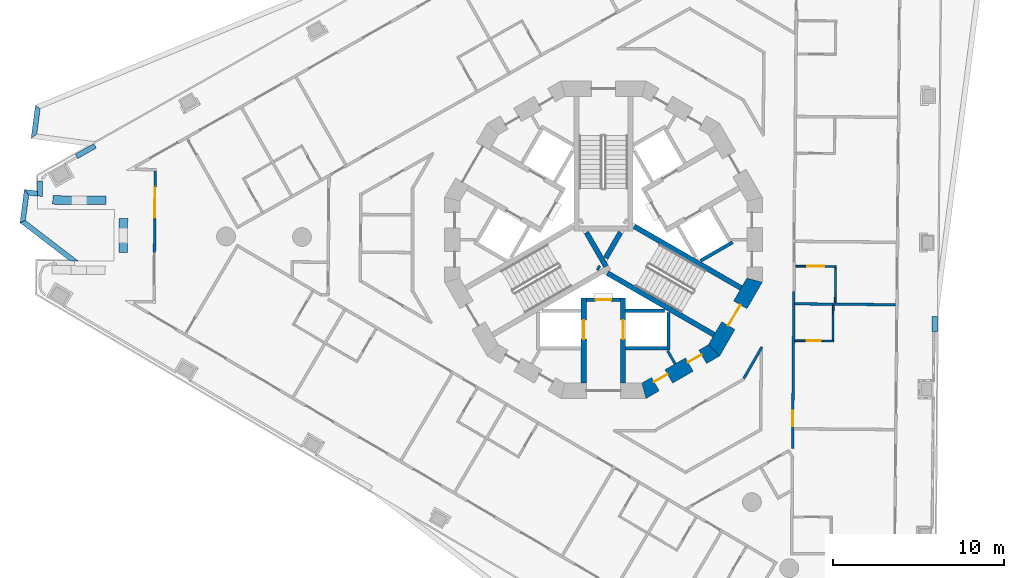
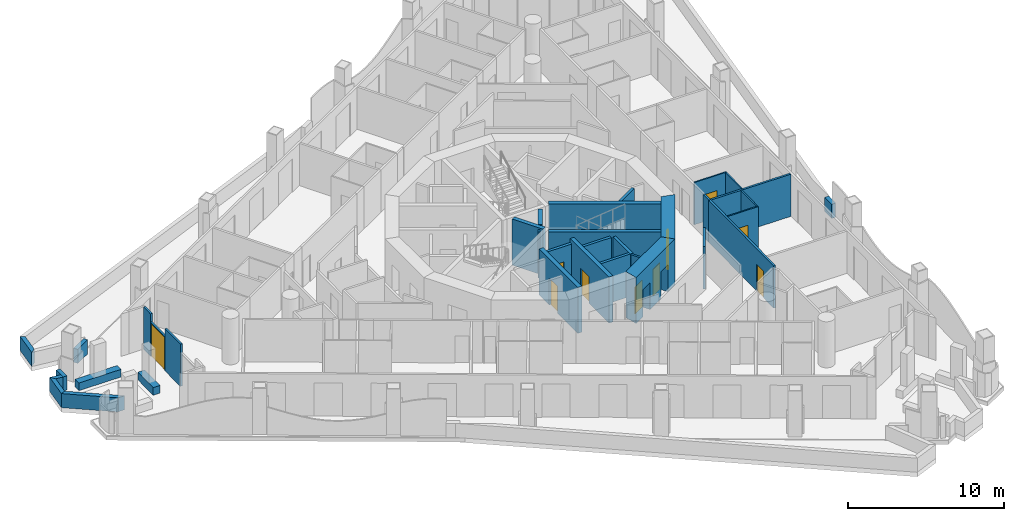
# One storey, part 5 of 18: 36 walls, 10 doors, 10 openings.
"""IFC4 building model written with IfcOpenShell, lengths in metres."""

from ifc_helpers import new_model, si_unit, direction, frame, frame_2d, origin, place, context, subcontext, project, spatial, polyline, rectangle, outline, extrude, material, layer, layer_set, type_object, element, fill, save


model = new_model("IFC4")

# Units and contexts
model_context = context("Model", 3, precision=1e-05, world=origin(), true_north=direction((0.0, 1.0)))
body_context = subcontext(model_context, "Body", "Model", "MODEL_VIEW")
ifc_project = project(units=[si_unit("LENGTHUNIT", "METRE"), si_unit("AREAUNIT", "SQUARE_METRE"), si_unit("VOLUMEUNIT", "CUBIC_METRE"), si_unit("PLANEANGLEUNIT", "RADIAN"), si_unit("MASSUNIT", "GRAM", prefix="KILO")], contexts=[model_context])

# Site, building, storey
site_placement = place(None, origin())
site = spatial("IfcSite", under=ifc_project, at=site_placement, CompositionType="ELEMENT")
building_placement = place(site_placement, origin())
building = spatial("IfcBuilding", under=site, at=building_placement, Name="Trine Commons Tower", CompositionType="ELEMENT")
storey_placement = place(building_placement, frame((0.0, 0.0, 161.10009765625)))
storey = spatial("IfcBuildingStorey", under=building, at=storey_placement, Name="L41", CompositionType="ELEMENT", Elevation=161.10009765625)

# Walls
ifc_material_1 = material(Name="Plasterboard partition on steel studs", Category="steel")
ifc_layer_1 = layer(ifc_material_1, 0.14990234375)
ifc_layer_set_1 = layer_set([ifc_layer_1], Name="Plasterboard partition on steel studs")
wall_type_1 = type_object("IfcWallType", Name="Core room partition 150 mm, EI 60", PredefinedType="PARTITIONING", material=ifc_layer_set_1)
wall_1_placement = place(storey_placement, frame((84.18603515625, 55.2490234375, 0.0), z_axis=(0.0, 0.0, 1.0), x_axis=(-0.499890179513, 0.866088799389, 0.0)))
element("IfcWall", 1, at=wall_1_placement, inside=storey, type_object=wall_type_1, Name="Core room partition L41", PredefinedType="PARTITIONING", context=body_context, shape_type="SweptSolid", body=[
    extrude(rectangle(XDim=0.882080078125, YDim=0.14990234375, at=frame_2d((0.44091796875, 0.0))), origin(), (0.0, 0.0, 1.0), 3.2998046875),
])
ifc_material_2 = material(Name="Aluminium-framed insulated wall panel", Category="aluminium")
ifc_layer_2 = layer(ifc_material_2, 0.14990234375)
ifc_layer_set_2 = layer_set([ifc_layer_2], Name="Aluminium-framed insulated wall panel")
wall_type_2 = type_object("IfcWallType", Name="Glazed frame wall 150, EI 60", PredefinedType="SOLIDWALL", material=ifc_layer_set_2)
wall_2_placement = place(storey_placement, frame((53.7822265625, 61.728759765625, 0.0), z_axis=(0.0, 0.0, 1.0), x_axis=(0.008788723053, 0.999961378428, 0.0)))
element("IfcWall", 2, at=wall_2_placement, inside=storey, type_object=wall_type_2, Name="Glazed frame wall P1.3", PredefinedType="SOLIDWALL", context=body_context, shape_type="SweptSolid", body=[
    extrude(outline(polyline([(0.0, -0.074951171875), (2.0, -0.074951171875), (2.0, 0.074951171875), (0.0, 0.074951171875), (0.0, -0.074951171875)])), origin(), (0.0, 0.0, 1.0), 3.2998046875),
])

# Wall, opening, door
wall_3_placement = place(storey_placement, frame((53.7998046875, 63.728759765625, 0.0), z_axis=(0.0, 0.0, 1.0), x_axis=(0.008609292847, 0.999962939352, 0.0)))
wall_3 = element("IfcWall", 3, at=wall_3_placement, inside=storey, type_object=wall_type_2, Name="Glazed frame wall P1.4", PredefinedType="SOLIDWALL", context=body_context, shape_type="SweptSolid", body=[
    extrude(outline(polyline([(0.0, -0.074951171875), (1.89990234375, -0.074951171875), (1.89990234375, 0.074951171875), (0.0, 0.074951171875), (0.0, -0.074951171875)])), origin(), (0.0, 0.0, 1.0), 2.64990234375),
])
opening_1_placement = place(wall_3_placement, frame((0.050048828125, 0.0, 0.0)))
opening_1 = element("IfcOpeningElement", 4, at=opening_1_placement, cuts=wall_3, Name="Opening BD-5P1-02", PredefinedType="OPENING", context=body_context, shape_type="SweptSolid", body=[
    extrude(rectangle(XDim=1.800048828125, YDim=2.60009765625, at=frame_2d((0.89990234375, 1.300048828125))), frame((0.0, 0.0849609375, 0.0), z_axis=(0.0, -1.0, 0.0), x_axis=(1.0, 0.0, 0.0)), (0.0, 0.0, 1.0), 0.169921875),
])
ifc_material_3 = material(Name="Anodised aluminium frame with double glazing", Category="aluminium")
door_type_1 = type_object("IfcDoorType", Name="Sliding loggia door 1800x2600", OperationType="SLIDING_TO_LEFT", PredefinedType="DOOR", material=ifc_material_3)
door_1_placement = place(opening_1_placement, origin())
door_1 = element("IfcDoor", 5, at=door_1_placement, inside=storey, type_object=door_type_1, Name="Loggia door P1 2", OperationType="SLIDING_TO_LEFT", OverallHeight=2.60009765625, OverallWidth=1.800048828125, PredefinedType="DOOR", context=body_context, shape_type="SweptSolid", body=[
    extrude(rectangle(XDim=1.800048828125, YDim=2.60009765625, at=frame_2d((0.89990234375, 1.300048828125))), frame((0.0, 0.02490234375, 0.0), z_axis=(0.0, -1.0, 0.0), x_axis=(1.0, 0.0, 0.0)), (0.0, 0.0, 1.0), 0.050048828125),
])
fill(opening_1, door_1)

# Wall
wall_4_placement = place(storey_placement, frame((53.816162109375, 65.628662109375, 0.0), z_axis=(0.0, 0.0, 1.0), x_axis=(0.008788723053, 0.999961378428, 0.0)))
element("IfcWall", 6, at=wall_4_placement, inside=storey, type_object=wall_type_2, Name="Glazed frame wall P1.5", PredefinedType="SOLIDWALL", context=body_context, shape_type="SweptSolid", body=[
    extrude(outline(polyline([(0.889892578125, 0.074951171875), (0.0, 0.074951171875), (0.0, -0.074951171875), (0.889892578125, -0.074951171875), (0.889892578125, 0.074951171875)])), origin(), (0.0, 0.0, 1.0), 3.2998046875),
])

# Wall, opening, door
ifc_material_4 = material(Name="Fire-rated gypsum shaft wall system")
ifc_layer_3 = layer(ifc_material_4, 0.199951171875)
ifc_layer_set_3 = layer_set([ifc_layer_3], Name="Fire-rated gypsum shaft wall system")
wall_type_3 = type_object("IfcWallType", Name="Lobby end wall 200 mm, EI 120", PredefinedType="PARTITIONING", material=ifc_layer_set_3)
wall_5_placement = place(storey_placement, frame((79.0, 59.0, 0.0), z_axis=(0.0, 0.0, 1.0), x_axis=(1.0, 0.0, 0.0)))
wall_5 = element("IfcWall", 7, at=wall_5_placement, inside=storey, type_object=wall_type_3, Name="Lobby end wall L41", PredefinedType="PARTITIONING", context=body_context, shape_type="SweptSolid", body=[
    extrude(rectangle(XDim=2.0, YDim=0.199951171875, at=frame_2d((1.0, 0.0))), origin(), (0.0, 0.0, 1.0), 3.2998046875),
])
opening_2_placement = place(wall_5_placement, frame((0.550048828125, 0.0, 0.0)))
opening_2 = element("IfcOpeningElement", 8, at=opening_2_placement, cuts=wall_5, Name="Opening K12.09", PredefinedType="OPENING", context=body_context, shape_type="SweptSolid", body=[
    extrude(rectangle(XDim=0.89990234375, YDim=2.10009765625, at=frame_2d((0.449951171875, 1.050048828125))), frame((0.0, 0.10986328125, 0.0), z_axis=(0.0, -1.0, 0.0), x_axis=(1.0, 0.0, 0.0)), (0.0, 0.0, 1.0), 0.219970703125),
])
ifc_material_5 = material(Name="Steel door leaf, fire-rated", Category="steel")
door_type_2 = type_object("IfcDoorType", Name="Riser access door, single leaf 900 x 2100, FD60", OperationType="SINGLE_SWING_LEFT", PredefinedType="DOOR", material=ifc_material_5)
door_2_placement = place(opening_2_placement, frame((0.89990234375, 0.0, 0.0), z_axis=(0.0, 0.0, 1.0), x_axis=(-1.0, 0.0, 0.0)))
door_2 = element("IfcDoor", 9, at=door_2_placement, inside=storey, type_object=door_type_2, Name="Riser door, Communications riser L41", OperationType="SINGLE_SWING_RIGHT", OverallHeight=2.10009765625, OverallWidth=0.89990234375, PredefinedType="DOOR", context=body_context, shape_type="SweptSolid", body=[
    extrude(rectangle(XDim=0.89990234375, YDim=2.10009765625, at=frame_2d((0.449951171875, 1.050048828125))), frame((0.0, 0.02490234375, 0.0), z_axis=(0.0, -1.0, 0.0), x_axis=(1.0, 0.0, 0.0)), (0.0, 0.0, 1.0), 0.050048828125),
])
fill(opening_2, door_2)

# Walls
ifc_material_6 = material(Name="Planter trough, precast concrete C40/50", Category="concrete")
ifc_layer_4 = layer(ifc_material_6, 0.5)
ifc_layer_set_4 = layer_set([ifc_layer_4], Name="Planter trough, precast concrete C40/50")
wall_type_4 = type_object("IfcWallType", Name="Planter trough 500x600", PredefinedType="PARAPET", material=ifc_layer_set_4)
wall_6_placement = place(storey_placement, frame((51.957275390625, 61.74462890625, 0.0), z_axis=(0.0, 0.0, 1.0), x_axis=(0.008666666688, 0.999962443739, 0.0)))
element("IfcWall", 10, at=wall_6_placement, inside=storey, type_object=wall_type_4, Name="Planter 2", PredefinedType="PARAPET", context=body_context, shape_type="SweptSolid", body=[
    extrude(rectangle(XDim=2.0, YDim=0.5, at=frame_2d((1.0, 0.0))), origin(), (0.0, 0.0, 1.0), 0.599853515625),
])
wall_7_placement = place(storey_placement, frame((50.94384765625, 64.793701171875, 0.0), z_axis=(0.0, 0.0, 1.0), x_axis=(-0.999961788962, 0.008741888523, 0.0)))
element("IfcWall", 11, at=wall_7_placement, inside=storey, type_object=wall_type_4, Name="Planter 3", PredefinedType="PARAPET", context=body_context, shape_type="SweptSolid", body=[
    extrude(rectangle(XDim=3.099853515625, YDim=0.5, at=frame_2d((1.5498046875, 0.0))), origin(), (0.0, 0.0, 1.0), 0.599853515625),
])

# Wall, opening, door
ifc_material_7 = material(Name="Concrete C60/75", Category="concrete")
ifc_layer_5 = layer(ifc_material_7, 0.300048828125)
ifc_layer_set_5 = layer_set([ifc_layer_5], Name="Concrete C60/75")
wall_type_5 = type_object("IfcWallType", Name="RC shear wall 300 mm, C60/75", PredefinedType="SHEAR", material=ifc_layer_set_5)
wall_8_placement = place(storey_placement, frame((78.85009765625, 59.10009765625, 0.0), z_axis=(0.0, 0.0, 1.0), x_axis=(0.0, -1.0, 0.0)))
wall_8 = element("IfcWall", 12, at=wall_8_placement, inside=storey, type_object=wall_type_5, Name="Core cross wall SWB-03 L41", PredefinedType="SHEAR", context=body_context, shape_type="SweptSolid", body=[
    extrude(rectangle(XDim=4.97314453125, YDim=0.300048828125, at=frame_2d((2.486572265625, 0.0))), origin(), (0.0, 0.0, 1.0), 3.599853515625),
])
opening_3_placement = place(wall_8_placement, frame((1.300048828125, 0.0, 0.0)))
opening_3 = element("IfcOpeningElement", 13, at=opening_3_placement, cuts=wall_8, Name="Opening LD10", PredefinedType="OPENING", context=body_context, shape_type="SweptSolid", body=[
    extrude(rectangle(XDim=1.10009765625, YDim=2.10009765625, at=frame_2d((0.550048828125, 1.050048828125))), frame((0.0, 0.159912109375, 0.0), z_axis=(0.0, -1.0, 0.0), x_axis=(1.0, 0.0, 0.0)), (0.0, 0.0, 1.0), 0.320068359375),
])
ifc_material_8 = material(Name="Stainless steel sliding door leaves", Category="steel")
door_type_3 = type_object("IfcDoorType", Name="Lift landing door, centre-opening sliding 1100 x 2100, FD90", OperationType="DOUBLE_DOOR_SLIDING", PredefinedType="DOOR", material=ifc_material_8)
door_3_placement = place(opening_3_placement, origin())
door_3 = element("IfcDoor", 14, at=door_3_placement, inside=storey, type_object=door_type_3, Name="Lift landing door FF2 L41", OperationType="DOUBLE_DOOR_SLIDING", OverallHeight=2.10009765625, OverallWidth=1.10009765625, PredefinedType="DOOR", context=body_context, shape_type="SweptSolid", body=[
    extrude(rectangle(XDim=1.10009765625, YDim=2.10009765625, at=frame_2d((0.550048828125, 1.050048828125))), frame((0.0, 0.02490234375, 0.0), z_axis=(0.0, -1.0, 0.0), x_axis=(1.0, 0.0, 0.0)), (0.0, 0.0, 1.0), 0.050048828125),
])
fill(opening_3, door_3)

wall_9_placement = place(storey_placement, frame((81.14990234375, 59.10009765625, 0.0), z_axis=(0.0, 0.0, 1.0), x_axis=(0.0, -1.0, 0.0)))
wall_9 = element("IfcWall", 15, at=wall_9_placement, inside=storey, type_object=wall_type_5, Name="Core cross wall SWB-04 L41", PredefinedType="SHEAR", context=body_context, shape_type="SweptSolid", body=[
    extrude(rectangle(XDim=4.97314453125, YDim=0.300048828125, at=frame_2d((2.486572265625, 0.0))), origin(), (0.0, 0.0, 1.0), 3.599853515625),
])
opening_4_placement = place(wall_9_placement, frame((1.300048828125, 0.0, 0.0)))
opening_4 = element("IfcOpeningElement", 16, at=opening_4_placement, cuts=wall_9, Name="Opening LD9", PredefinedType="OPENING", context=body_context, shape_type="SweptSolid", body=[
    extrude(rectangle(XDim=1.10009765625, YDim=2.10009765625, at=frame_2d((0.550048828125, 1.050048828125))), frame((0.0, 0.159912109375, 0.0), z_axis=(0.0, -1.0, 0.0), x_axis=(1.0, 0.0, 0.0)), (0.0, 0.0, 1.0), 0.320068359375),
])
door_4_placement = place(opening_4_placement, origin())
door_4 = element("IfcDoor", 17, at=door_4_placement, inside=storey, type_object=door_type_3, Name="Lift landing door FF1 L41", OperationType="DOUBLE_DOOR_SLIDING", OverallHeight=2.10009765625, OverallWidth=1.10009765625, PredefinedType="DOOR", context=body_context, shape_type="SweptSolid", body=[
    extrude(rectangle(XDim=1.10009765625, YDim=2.10009765625, at=frame_2d((0.550048828125, 1.050048828125))), frame((0.0, 0.02490234375, 0.0), z_axis=(0.0, -1.0, 0.0), x_axis=(1.0, 0.0, 0.0)), (0.0, 0.0, 1.0), 0.050048828125),
])
fill(opening_4, door_4)

# Walls
wall_10_placement = place(storey_placement, frame((79.0029296875, 62.926025390625, 0.0), z_axis=(0.0, 0.0, 1.0), x_axis=(0.499965247104, -0.866045467449, 0.0)))
element("IfcWall", 18, at=wall_10_placement, inside=storey, type_object=wall_type_5, Name="Core cross wall SWB-10 L41", PredefinedType="SHEAR", context=body_context, shape_type="SweptSolid", body=[
    extrude(rectangle(XDim=2.292236328125, YDim=0.300048828125, at=frame_2d((1.14599609375, 0.0))), origin(), (0.0, 0.0, 1.0), 3.599853515625),
])
wall_11_placement = place(storey_placement, frame((79.64599609375, 60.885986328125, 0.0), z_axis=(0.0, 0.0, 1.0), x_axis=(0.867331893649, -0.497730234424, 0.0)))
element("IfcWall", 19, at=wall_11_placement, inside=storey, type_object=wall_type_5, Name="Core cross wall SWB-11 L41", PredefinedType="SHEAR", context=body_context, shape_type="SweptSolid", body=[
    extrude(rectangle(XDim=0.148681640625, YDim=0.300048828125, at=frame_2d((0.07421875, 0.0))), origin(), (0.0, 0.0, 1.0), 3.599853515625),
])
wall_12_placement = place(storey_placement, frame((80.1298828125, 61.424072265625, 0.0), z_axis=(0.0, 0.0, 1.0), x_axis=(0.500014901547, 0.866016800201, 0.0)))
element("IfcWall", 20, at=wall_12_placement, inside=storey, type_object=wall_type_5, Name="Core cross wall SWB-12 L41", PredefinedType="SHEAR", context=body_context, shape_type="SweptSolid", body=[
    extrude(rectangle(XDim=1.734375, YDim=0.300048828125, at=frame_2d((0.8671875, 0.0))), origin(), (0.0, 0.0, 1.0), 3.599853515625),
])
for number, where, z_axis, x_axis, name in (
    (21, (80.22509765625, 60.552001953125, 0.0), (0.0, 0.0, 1.0), (0.866028135082, -0.499995269223, 0.0), "Core cross wall SWB-13 L41"),
    (22, (81.800048828125, 63.280029296875, 0.0), (0.0, 0.0, 1.0), (0.866028135082, -0.499995269223, 0.0), "Core cross wall SWB-18 L41"),
):
    element("IfcWall", number, at=place(storey_placement, frame(where, z_axis=z_axis, x_axis=x_axis)), inside=storey, type_object=wall_type_5, Name=name, PredefinedType="SHEAR", context=body_context, shape_type="SweptSolid", body=[
        extrude(rectangle(XDim=7.2041015625, YDim=0.300048828125, at=frame_2d((3.60205078125, 0.0))), origin(), (0.0, 0.0, 1.0), 3.599853515625),
    ])

# Wall, openings, doors
ifc_layer_6 = layer(ifc_material_7, 0.89990234375)
ifc_layer_set_6 = layer_set([ifc_layer_6], Name="Concrete C60/75")
wall_type_6 = type_object("IfcWallType", Name="RC shear wall 900 mm, C60/75", PredefinedType="SHEAR", material=ifc_layer_set_6)
wall_13_placement = place(storey_placement, frame((82.259765625, 53.61669921875, 0.0), z_axis=(0.0, 0.0, 1.0), x_axis=(0.866003133579, 0.500038571144, 0.0)))
wall_13 = element("IfcWall", 23, at=wall_13_placement, inside=storey, type_object=wall_type_6, Name="Core wall CWE-11 L41", PredefinedType="SHEAR", context=body_context, shape_type="SweptSolid", body=[
    extrude(outline(polyline([(0.0, -0.449951171875), (4.96923828125, -0.449951171875), (4.72802734375, 0.449951171875), (0.2412109375, 0.449951171875), (0.0, -0.449951171875)])), origin(), (0.0, 0.0, 1.0), 3.599853515625),
])
opening_5_placement = place(wall_13_placement, frame((0.89501953125, 0.0, 0.0)))
opening_5 = element("IfcOpeningElement", 24, at=opening_5_placement, cuts=wall_13, Name="Opening K12.20", PredefinedType="OPENING", context=body_context, shape_type="SweptSolid", body=[
    extrude(rectangle(XDim=0.89990234375, YDim=2.10009765625, at=frame_2d((0.449951171875, 1.050048828125))), frame((0.0, 0.4599609375, 0.0), z_axis=(0.0, -1.0, 0.0), x_axis=(1.0, 0.0, 0.0)), (0.0, 0.0, 1.0), 0.919921875),
])
opening_6_placement = place(wall_13_placement, frame((3.18408203125, 0.0, 0.0)))
opening_6 = element("IfcOpeningElement", 25, at=opening_6_placement, cuts=wall_13, Name="Opening K12.21", PredefinedType="OPENING", context=body_context, shape_type="SweptSolid", body=[
    extrude(rectangle(XDim=0.89990234375, YDim=2.10009765625, at=frame_2d((0.449951171875, 1.050048828125))), frame((0.0, 0.4599609375, 0.0), z_axis=(0.0, -1.0, 0.0), x_axis=(1.0, 0.0, 0.0)), (0.0, 0.0, 1.0), 0.919921875),
])
door_type_4 = type_object("IfcDoorType", Name="Core room door, single leaf 900 x 2100, FD30S", OperationType="SINGLE_SWING_LEFT", PredefinedType="DOOR", material=ifc_material_5)
door_5_placement = place(opening_5_placement, origin())
door_5 = element("IfcDoor", 26, at=door_5_placement, inside=storey, type_object=door_type_4, Name="Door to Accessible WC L41", OperationType="SINGLE_SWING_LEFT", OverallHeight=2.10009765625, OverallWidth=0.89990234375, PredefinedType="DOOR", context=body_context, shape_type="SweptSolid", body=[
    extrude(rectangle(XDim=0.89990234375, YDim=2.10009765625, at=frame_2d((0.449951171875, 1.050048828125))), frame((0.0, 0.1748046875, 0.0), z_axis=(0.0, -1.0, 0.0), x_axis=(1.0, 0.0, 0.0)), (0.0, 0.0, 1.0), 0.050048828125),
])
fill(opening_5, door_5)
door_6_placement = place(opening_6_placement, origin())
door_6 = element("IfcDoor", 27, at=door_6_placement, inside=storey, type_object=door_type_4, Name="Door to Linen store L41", OperationType="SINGLE_SWING_RIGHT", OverallHeight=2.10009765625, OverallWidth=0.89990234375, PredefinedType="DOOR", context=body_context, shape_type="SweptSolid", body=[
    extrude(rectangle(XDim=0.89990234375, YDim=2.10009765625, at=frame_2d((0.449951171875, 1.050048828125))), frame((0.0, 0.1748046875, 0.0), z_axis=(0.0, -1.0, 0.0), x_axis=(1.0, 0.0, 0.0)), (0.0, 0.0, 1.0), 0.050048828125),
])
fill(opening_6, door_6)

# Wall, opening, door
wall_14_placement = place(storey_placement, frame((86.3984375, 55.936767578125, 0.0), z_axis=(0.0, 0.0, 1.0), x_axis=(0.500038571144, 0.866003133579, 0.0)))
wall_14 = element("IfcWall", 28, at=wall_14_placement, inside=storey, type_object=wall_type_6, Name="Core wall CWE-12 L41", PredefinedType="SHEAR", context=body_context, shape_type="SweptSolid", body=[
    extrude(outline(polyline([(0.0, -0.449951171875), (4.96923828125, -0.449951171875), (4.72802734375, 0.449951171875), (0.2412109375, 0.449951171875), (0.0, -0.449951171875)])), origin(), (0.0, 0.0, 1.0), 3.599853515625),
])
opening_7_placement = place(wall_14_placement, frame((1.78466796875, 0.0, 0.0)))
opening_7 = element("IfcOpeningElement", 29, at=opening_7_placement, cuts=wall_14, Name="Opening K12.03", PredefinedType="OPENING", context=body_context, shape_type="SweptSolid", body=[
    extrude(rectangle(XDim=1.39990234375, YDim=2.10009765625, at=frame_2d((0.699951171875, 1.050048828125))), frame((0.0, 0.4599609375, 0.0), z_axis=(0.0, -1.0, 0.0), x_axis=(1.0, 0.0, 0.0)), (0.0, 0.0, 1.0), 0.919921875),
])
ifc_material_9 = material(Name="Steel door leaves, fire-rated", Category="steel")
door_type_5 = type_object("IfcDoorType", Name="Stair door, double leaf 1400 x 2100, FD90", OperationType="DOUBLE_DOOR_SINGLE_SWING", PredefinedType="DOOR", material=ifc_material_9)
door_7_placement = place(opening_7_placement, origin())
door_7 = element("IfcDoor", 30, at=door_7_placement, inside=storey, type_object=door_type_5, Name="Stair door to Exit stair ST3B L41", OperationType="DOUBLE_DOOR_SINGLE_SWING", OverallHeight=2.10009765625, OverallWidth=1.39990234375, PredefinedType="DOOR", context=body_context, shape_type="SweptSolid", body=[
    extrude(rectangle(XDim=1.39990234375, YDim=2.10009765625, at=frame_2d((0.699951171875, 1.050048828125))), frame((0.0, 0.02490234375, 0.0), z_axis=(0.0, -1.0, 0.0), x_axis=(1.0, 0.0, 0.0)), (0.0, 0.0, 1.0), 0.050048828125),
])
fill(opening_7, door_7)

# Walls
ifc_layer_7 = layer(ifc_material_4, 0.199951171875)
ifc_layer_set_7 = layer_set([ifc_layer_7], Name="Fire-rated gypsum shaft wall system")
wall_type_7 = type_object("IfcWallType", Name="Shaft wall 200 mm, EI 120", PredefinedType="PARTITIONING", material=ifc_layer_set_7)
wall_15_placement = place(storey_placement, frame((81.300048828125, 56.14990234375, 0.0), z_axis=(0.0, 0.0, 1.0), x_axis=(1.0, 0.0, 0.0)))
element("IfcWall", 31, at=wall_15_placement, inside=storey, type_object=wall_type_7, Name="Shaft wall L41", PredefinedType="PARTITIONING", context=body_context, shape_type="SweptSolid", body=[
    extrude(rectangle(XDim=2.39990234375, YDim=0.199951171875, at=frame_2d((1.199951171875, 0.0))), origin(), (0.0, 0.0, 1.0), 3.2998046875),
])
wall_16_placement = place(storey_placement, frame((81.300048828125, 58.35009765625, 0.0), z_axis=(0.0, 0.0, 1.0), x_axis=(1.0, 0.0, 0.0)))
element("IfcWall", 32, at=wall_16_placement, inside=storey, type_object=wall_type_7, Name="Shaft wall L41", PredefinedType="PARTITIONING", context=body_context, shape_type="SweptSolid", body=[
    extrude(rectangle(XDim=2.264892578125, YDim=0.199951171875, at=frame_2d((1.13232421875, 0.0))), origin(), (0.0, 0.0, 1.0), 3.2998046875),
])
wall_17_placement = place(storey_placement, frame((83.800048828125, 58.257080078125, 0.0), z_axis=(0.0, 0.0, 1.0), x_axis=(0.0, -1.0, 0.0)))
element("IfcWall", 33, at=wall_17_placement, inside=storey, type_object=wall_type_7, Name="Shaft wall L41", PredefinedType="PARTITIONING", context=body_context, shape_type="SweptSolid", body=[
    extrude(rectangle(XDim=2.20703125, YDim=0.199951171875, at=frame_2d((1.103515625, 0.0))), origin(), (0.0, 0.0, 1.0), 3.2998046875),
])
wall_18_placement = place(storey_placement, frame((85.675048828125, 61.27392578125, 0.0), z_axis=(0.0, 0.0, 1.0), x_axis=(0.866102336459, 0.499866725018, 0.0)))
element("IfcWall", 34, at=wall_18_placement, inside=storey, type_object=wall_type_7, Name="Shaft wall L41", PredefinedType="PARTITIONING", context=body_context, shape_type="SweptSolid", body=[
    extrude(rectangle(XDim=2.1484375, YDim=0.199951171875, at=frame_2d((1.07421875, 0.0))), origin(), (0.0, 0.0, 1.0), 3.2998046875),
])
ifc_material_10 = material(Name="Limestone, honed", Category="masonry")
ifc_layer_8 = layer(ifc_material_10, 0.300048828125)
ifc_layer_set_8 = layer_set([ifc_layer_8], Name="Limestone, honed")
wall_type_8 = type_object("IfcWallType", Name="Stone parapet 300", PredefinedType="PARAPET", material=ifc_layer_set_8)
wall_19_placement = place(storey_placement, origin())
element("IfcWall", 35, at=wall_19_placement, inside=storey, type_object=wall_type_8, Name="Sliver roof parapet L40 1.1", PredefinedType="PARAPET", context=body_context, shape_type="SweptSolid", body=[
    extrude(outline(polyline([(46.948486328125, 65.33837890625), (46.187744140625, 65.4384765625), (46.446044921875, 65.101806640625), (46.94580078125, 65.0361328125), (46.948486328125, 65.33837890625)])), origin(), (0.0, 0.0, 1.0), 1.099853515625),
])
wall_20_placement = place(storey_placement, origin())
element("IfcWall", 36, at=wall_20_placement, inside=storey, type_object=wall_type_8, Name="Sliver roof parapet L40 1.2", PredefinedType="PARAPET", context=body_context, shape_type="SweptSolid", body=[
    extrude(outline(polyline([(46.187744140625, 65.4384765625), (45.931396484375, 63.4912109375), (46.25146484375, 63.623779296875), (46.446044921875, 65.101806640625), (46.187744140625, 65.4384765625)])), origin(), (0.0, 0.0, 1.0), 1.099853515625),
])
wall_21_placement = place(storey_placement, origin())
element("IfcWall", 37, at=wall_21_placement, inside=storey, type_object=wall_type_8, Name="Sliver roof parapet L40 1.3", PredefinedType="PARAPET", context=body_context, shape_type="SweptSolid", body=[
    extrude(outline(polyline([(45.931396484375, 63.4912109375), (48.823486328125, 61.27197265625), (49.322021484375, 61.267578125), (46.25146484375, 63.623779296875), (45.931396484375, 63.4912109375)])), origin(), (0.0, 0.0, 1.0), 1.099853515625),
])
wall_22_placement = place(storey_placement, origin())
element("IfcWall", 38, at=wall_22_placement, inside=storey, type_object=wall_type_8, Name="Sliver roof parapet extension L40 1.X1", PredefinedType="PARAPET", context=body_context, shape_type="SweptSolid", body=[
    extrude(outline(polyline([(46.94580078125, 65.038330078125), (47.245849609375, 65.035888671875), (47.253662109375, 65.935791015625), (46.95361328125, 65.9384765625), (46.949951171875, 65.50390625), (46.94580078125, 65.038330078125)])), origin(), (0.0, 0.0, 1.0), 1.099853515625),
])
wall_23_placement = place(storey_placement, origin())
element("IfcWall", 39, at=wall_23_placement, inside=storey, type_object=wall_type_8, Name="Sliver roof parapet L40 2.2", PredefinedType="PARAPET", context=body_context, shape_type="SweptSolid", body=[
    extrude(outline(polyline([(46.835693359375, 70.360107421875), (46.579345703125, 68.412841796875), (46.916015625, 68.671142578125), (47.110595703125, 70.149169921875), (46.835693359375, 70.360107421875)])), origin(), (0.0, 0.0, 1.0), 1.099853515625),
])
wall_24_placement = place(storey_placement, origin())
element("IfcWall", 40, at=wall_24_placement, inside=storey, type_object=wall_type_8, Name="Sliver roof parapet extension L40 2.X2", PredefinedType="PARAPET", context=body_context, shape_type="SweptSolid", body=[
    extrude(outline(polyline([(50.3916015625, 67.851318359375), (50.243896484375, 68.112548828125), (49.156005859375, 67.4970703125), (49.3037109375, 67.23583984375), (50.3916015625, 67.851318359375)])), origin(), (0.0, 0.0, 1.0), 1.099853515625),
])
wall_25_placement = place(storey_placement, origin())
element("IfcWall", 41, at=wall_25_placement, inside=storey, type_object=wall_type_8, Name="Sliver roof parapet extension L40 6.X1", PredefinedType="PARAPET", context=body_context, shape_type="SweptSolid", body=[
    extrude(outline(polyline([(99.19140625, 57.126220703125), (99.491455078125, 57.123779296875), (99.499267578125, 58.023681640625), (99.19921875, 58.0263671875), (99.19140625, 57.126220703125)])), origin(), (0.0, 0.0, 1.0), 1.099853515625),
])
ifc_material_11 = material(Name="Gypsum plasterboard on steel stud", Category="steel")
ifc_layer_9 = layer(ifc_material_11, 0.14990234375)
ifc_layer_set_9 = layer_set([ifc_layer_9], Name="Gypsum plasterboard on steel stud")
wall_type_9 = type_object("IfcWallType", Name="Unit and corridor wall 150 mm, EI 60", PredefinedType="PARTITIONING", material=ifc_layer_set_9)
wall_26_placement = place(storey_placement, frame((88.198486328125, 54.404052734375, 0.0), z_axis=(0.0, 0.0, 1.0), x_axis=(0.499882057835, 0.866093487018, 0.0)))
element("IfcWall", 42, at=wall_26_placement, inside=storey, type_object=wall_type_9, Name="Partition 100", PredefinedType="PARTITIONING", context=body_context, shape_type="SweptSolid", body=[
    extrude(rectangle(XDim=2.11865234375, YDim=0.14990234375, at=frame_2d((1.059326171875, 0.0))), origin(), (0.0, 0.0, 1.0), 3.2998046875),
])

# Wall, opening, door
wall_27_placement = place(storey_placement, frame((91.0419921875, 50.300048828125, 0.0), z_axis=(0.0, 0.0, 1.0), x_axis=(0.008752775488, 0.999961693727, 0.0)))
wall_27 = element("IfcWall", 43, at=wall_27_placement, inside=storey, type_object=wall_type_9, Name="Partition 114", PredefinedType="PARTITIONING", context=body_context, shape_type="SweptSolid", body=[
    extrude(rectangle(XDim=8.53515625, YDim=0.14990234375, at=frame_2d((4.267578125, 0.0))), origin(), (0.0, 0.0, 1.0), 3.2998046875),
])
opening_8_placement = place(wall_27_placement, frame((1.31103515625, 0.0, 0.0)))
opening_8 = element("IfcOpeningElement", 44, at=opening_8_placement, cuts=wall_27, Name="Opening D-5A17", PredefinedType="OPENING", context=body_context, shape_type="SweptSolid", body=[
    extrude(rectangle(XDim=0.89990234375, YDim=2.10009765625, at=frame_2d((0.449951171875, 1.050048828125))), frame((0.0, 0.0849609375, 0.0), z_axis=(0.0, -1.0, 0.0), x_axis=(1.0, 0.0, 0.0)), (0.0, 0.0, 1.0), 0.169921875),
])
ifc_material_12 = material(Name="Timber fire door set", Category="wood")
door_type_6 = type_object("IfcDoorType", Name="Bedroom door 900 x 2100, FD30S", OperationType="NOTDEFINED", PredefinedType="DOOR", material=ifc_material_12)
door_8_placement = place(opening_8_placement, frame((0.89990234375, 0.0, 0.0), z_axis=(0.0, 0.0, 1.0), x_axis=(-1.0, 0.0, 0.0)))
door_8 = element("IfcDoor", 45, at=door_8_placement, inside=storey, type_object=door_type_6, Name="Door D-5A17", OperationType="SINGLE_SWING_RIGHT", OverallHeight=2.10009765625, OverallWidth=0.89990234375, PredefinedType="DOOR", context=body_context, shape_type="SweptSolid", body=[
    extrude(rectangle(XDim=0.89990234375, YDim=2.10009765625, at=frame_2d((0.449951171875, 1.050048828125))), frame((0.0, 0.02490234375, 0.0), z_axis=(0.0, -1.0, 0.0), x_axis=(1.0, 0.0, 0.0)), (0.0, 0.0, 1.0), 0.050048828125),
])
fill(opening_8, door_8)

# Walls
wall_28_placement = place(storey_placement, frame((91.115966796875, 58.751953125, 0.0), z_axis=(0.0, 0.0, 1.0), x_axis=(0.008511778806, 0.999963774155, 0.0)))
element("IfcWall", 46, at=wall_28_placement, inside=storey, type_object=wall_type_9, Name="Partition 117", PredefinedType="PARTITIONING", context=body_context, shape_type="SweptSolid", body=[
    extrude(rectangle(XDim=0.717041015625, YDim=0.14990234375, at=frame_2d((0.3583984375, 0.0))), origin(), (0.0, 0.0, 1.0), 3.2998046875),
])
wall_29_placement = place(storey_placement, frame((91.19091796875, 58.75537109375, 0.0), z_axis=(0.0, 0.0, 1.0), x_axis=(0.999958547359, -0.009105139424, 0.0)))
element("IfcWall", 47, at=wall_29_placement, inside=storey, type_object=wall_type_9, Name="Partition 118", PredefinedType="PARTITIONING", context=body_context, shape_type="SweptSolid", body=[
    extrude(rectangle(XDim=2.279052734375, YDim=0.14990234375, at=frame_2d((1.1396484375, 0.0))), origin(), (0.0, 0.0, 1.0), 3.2998046875),
])
wall_30_placement = place(storey_placement, frame((93.488037109375, 58.734375, 0.0), z_axis=(0.0, 0.0, 1.0), x_axis=(0.999962431969, -0.00866802463, 0.0)))
element("IfcWall", 48, at=wall_30_placement, inside=storey, type_object=wall_type_9, Name="Partition 138", PredefinedType="PARTITIONING", context=body_context, shape_type="SweptSolid", body=[
    extrude(rectangle(XDim=3.5771484375, YDim=0.14990234375, at=frame_2d((1.78857421875, 0.0))), origin(), (0.0, 0.0, 1.0), 3.2998046875),
])

# Wall, opening, door
ifc_layer_10 = layer(ifc_material_11, 0.10009765625)
ifc_layer_set_10 = layer_set([ifc_layer_10], Name="Gypsum plasterboard on steel stud")
wall_type_10 = type_object("IfcWallType", Name="Unit partition 100 mm, no rating", PredefinedType="PARTITIONING", material=ifc_layer_set_10)
wall_31_placement = place(storey_placement, frame((91.172119140625, 56.605224609375, 0.0), z_axis=(0.0, 0.0, 1.0), x_axis=(0.999963146346, -0.008585216968, 0.0)))
wall_31 = element("IfcWall", 49, at=wall_31_placement, inside=storey, type_object=wall_type_10, Name="Partition 116", PredefinedType="PARTITIONING", context=body_context, shape_type="SweptSolid", body=[
    extrude(rectangle(XDim=2.27490234375, YDim=0.10009765625, at=frame_2d((1.137451171875, 0.0))), origin(), (0.0, 0.0, 1.0), 3.2998046875),
])
opening_9_placement = place(wall_31_placement, frame((0.71240234375, 0.0, 0.0)))
opening_9 = element("IfcOpeningElement", 50, at=opening_9_placement, cuts=wall_31, Name="Opening D-5A42", PredefinedType="OPENING", context=body_context, shape_type="SweptSolid", body=[
    extrude(rectangle(XDim=0.800048828125, YDim=2.10009765625, at=frame_2d((0.39990234375, 1.050048828125))), frame((0.0, 0.06005859375, 0.0), z_axis=(0.0, -1.0, 0.0), x_axis=(1.0, 0.0, 0.0)), (0.0, 0.0, 1.0), 0.1201171875),
])
ifc_material_13 = material(Name="Painted timber", Category="wood")
door_type_7 = type_object("IfcDoorType", Name="Internal door 800 x 2100, NOT RATED", OperationType="NOTDEFINED", PredefinedType="DOOR", material=ifc_material_13)
door_9_placement = place(opening_9_placement, frame((0.800048828125, 0.0, 0.0), z_axis=(0.0, 0.0, 1.0), x_axis=(-1.0, 0.0, 0.0)))
door_9 = element("IfcDoor", 51, at=door_9_placement, inside=storey, type_object=door_type_7, Name="Door D-5A42", OperationType="SINGLE_SWING_RIGHT", OverallHeight=2.10009765625, OverallWidth=0.800048828125, PredefinedType="DOOR", context=body_context, shape_type="SweptSolid", body=[
    extrude(rectangle(XDim=0.800048828125, YDim=2.10009765625, at=frame_2d((0.39990234375, 1.050048828125))), frame((0.0, 0.02490234375, 0.0), z_axis=(0.0, -1.0, 0.0), x_axis=(1.0, 0.0, 0.0)), (0.0, 0.0, 1.0), 0.050048828125),
])
fill(opening_9, door_9)

wall_32_placement = place(storey_placement, frame((91.222900390625, 60.954345703125, 0.0), z_axis=(0.0, 0.0, 1.0), x_axis=(0.99996214851, -0.008700663591, 0.0)))
wall_32 = element("IfcWall", 52, at=wall_32_placement, inside=storey, type_object=wall_type_10, Name="Partition 120", PredefinedType="PARTITIONING", context=body_context, shape_type="SweptSolid", body=[
    extrude(rectangle(XDim=2.385009765625, YDim=0.10009765625, at=frame_2d((1.1923828125, 0.0))), origin(), (0.0, 0.0, 1.0), 3.2998046875),
])
opening_10_placement = place(wall_32_placement, frame((0.66748046875, 0.0, 0.0)))
opening_10 = element("IfcOpeningElement", 53, at=opening_10_placement, cuts=wall_32, Name="Opening D-5A41", PredefinedType="OPENING", context=body_context, shape_type="SweptSolid", body=[
    extrude(rectangle(XDim=1.0, YDim=2.10009765625, at=frame_2d((0.5, 1.050048828125))), frame((0.0, 0.06005859375, 0.0), z_axis=(0.0, -1.0, 0.0), x_axis=(1.0, 0.0, 0.0)), (0.0, 0.0, 1.0), 0.1201171875),
])
door_type_8 = type_object("IfcDoorType", Name="Internal door 1000 x 2100, NOT RATED", OperationType="NOTDEFINED", PredefinedType="DOOR", material=ifc_material_13)
door_10_placement = place(opening_10_placement, origin())
door_10 = element("IfcDoor", 54, at=door_10_placement, inside=storey, type_object=door_type_8, Name="Door D-5A41", OperationType="SINGLE_SWING_LEFT", OverallHeight=2.10009765625, OverallWidth=1.0, PredefinedType="DOOR", context=body_context, shape_type="SweptSolid", body=[
    extrude(rectangle(XDim=1.0, YDim=2.10009765625, at=frame_2d((0.5, 1.050048828125))), frame((0.0, 0.02490234375, 0.0), z_axis=(0.0, -1.0, 0.0), x_axis=(1.0, 0.0, 0.0)), (0.0, 0.0, 1.0), 0.050048828125),
])
fill(opening_10, door_10)

# Walls
wall_33_placement = place(storey_placement, frame((93.3974609375, 56.635986328125, 0.0), z_axis=(0.0, 0.0, 1.0), x_axis=(0.008805448719, 0.999961231285, 0.0)))
element("IfcWall", 55, at=wall_33_placement, inside=storey, type_object=wall_type_10, Name="Partition 134", PredefinedType="PARTITIONING", context=body_context, shape_type="SweptSolid", body=[
    extrude(rectangle(XDim=2.02392578125, YDim=0.10009765625, at=frame_2d((1.011962890625, 0.0))), origin(), (0.0, 0.0, 1.0), 3.2998046875),
])
wall_34_placement = place(storey_placement, frame((93.538818359375, 58.80908203125, 0.0), z_axis=(0.0, 0.0, 1.0), x_axis=(0.009059517597, 0.999958961728, 0.0)))
element("IfcWall", 56, at=wall_34_placement, inside=storey, type_object=wall_type_10, Name="Partition 137", PredefinedType="PARTITIONING", context=body_context, shape_type="SweptSolid", body=[
    extrude(rectangle(XDim=2.074951171875, YDim=0.10009765625, at=frame_2d((1.03759765625, 0.0))), origin(), (0.0, 0.0, 1.0), 3.2998046875),
])

save(model, "model.ifc")
